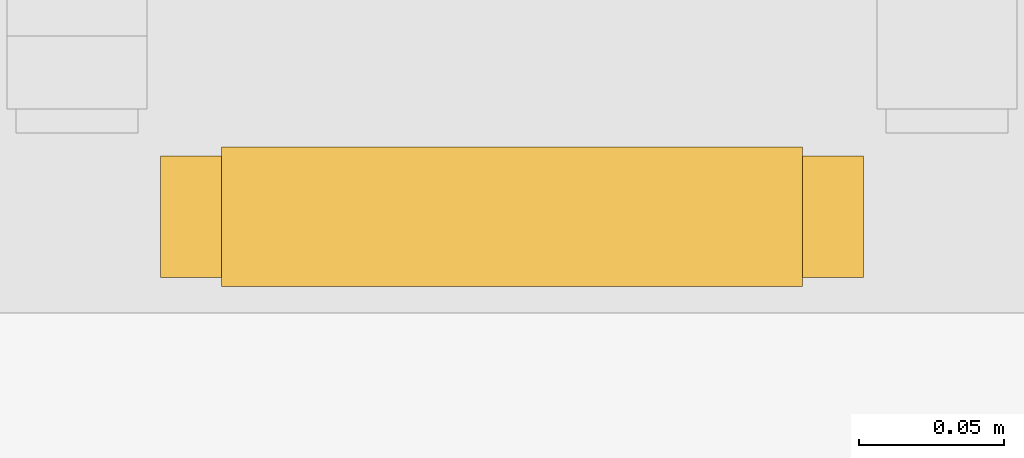
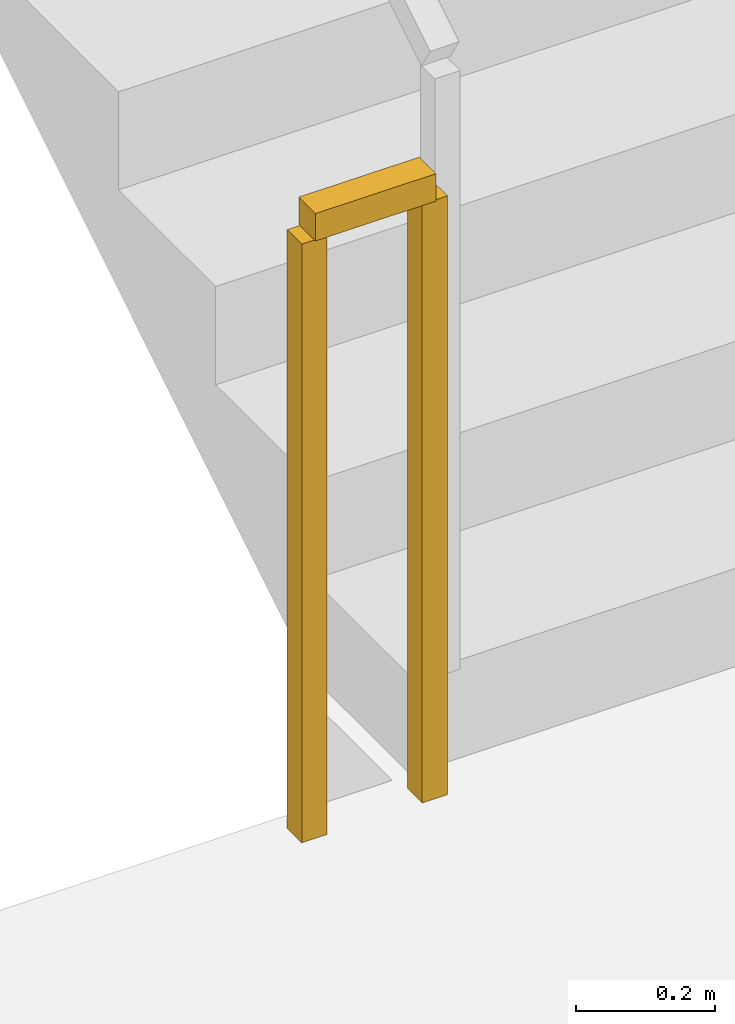
# One storey, part 8 of 11: 1 railing.
"""IFC4 building model written with IfcOpenShell, lengths in metres."""

from ifc_helpers import new_model, si_unit, direction, frame, origin, origin_2d, place, context, subcontext, project, spatial, rectangle, extrude, material, type_object, element, save


model = new_model("IFC4")

# Units and contexts
model_context = context("Model", 3, precision=1e-05, world=origin(), true_north=direction((0.0, 1.0)))
body_context = subcontext(model_context, "Body", "Model", "MODEL_VIEW")
ifc_project = project(units=[si_unit("LENGTHUNIT", "METRE"), si_unit("AREAUNIT", "SQUARE_METRE"), si_unit("VOLUMEUNIT", "CUBIC_METRE"), si_unit("PLANEANGLEUNIT", "RADIAN"), si_unit("MASSUNIT", "GRAM", prefix="KILO")], contexts=[model_context])

# Site, building, storey
site_placement = place(None, origin())
site = spatial("IfcSite", under=ifc_project, at=site_placement, CompositionType="ELEMENT")
building_placement = place(site_placement, origin())
building = spatial("IfcBuilding", under=site, at=building_placement, Name="Haldorwick Loom Tower", CompositionType="ELEMENT")
storey_placement = place(building_placement, frame((0.0, 0.0, 215.199951171875)))
storey = spatial("IfcBuildingStorey", under=building, at=storey_placement, Name="L58", CompositionType="ELEMENT", Elevation=215.199951171875)

# Railing
ifc_material = material(Name="Steel CSA G40.21 350W", Category="steel")
railing_type = type_object("IfcRailingType", Name="ARC-RLG-GUARD112", PredefinedType="GUARDRAIL", material=ifc_material)
railing_placement = place(storey_placement, frame((31.85009765625, 28.35009765625, 0.0)))
element("IfcRailing", 1, at=railing_placement, inside=storey, type_object=railing_type, Name="L58 ST-03 stair guard 4", PredefinedType="GUARDRAIL", context=body_context, shape_type="SweptSolid", body=[
    extrude(rectangle(XDim=0.048095703125, YDim=0.048095703125, at=origin_2d()), frame((0.0, 0.0, 1.076171875), z_axis=(-1.0, 0.0, 0.0), x_axis=(0.0, -1.0, 0.0)), (0.0, 0.0, 1.0), 0.2001953125),
    extrude(rectangle(XDim=0.0419921875, YDim=0.0419921875, at=origin_2d()), origin(), (0.0, 0.0, 1.0), 1.052001953125),
    extrude(rectangle(XDim=0.0419921875, YDim=0.0419921875, at=origin_2d()), frame((-0.2001953125, 0.0, 0.0)), (0.0, 0.0, 1.0), 1.052001953125),
])

save(model, "model.ifc")
